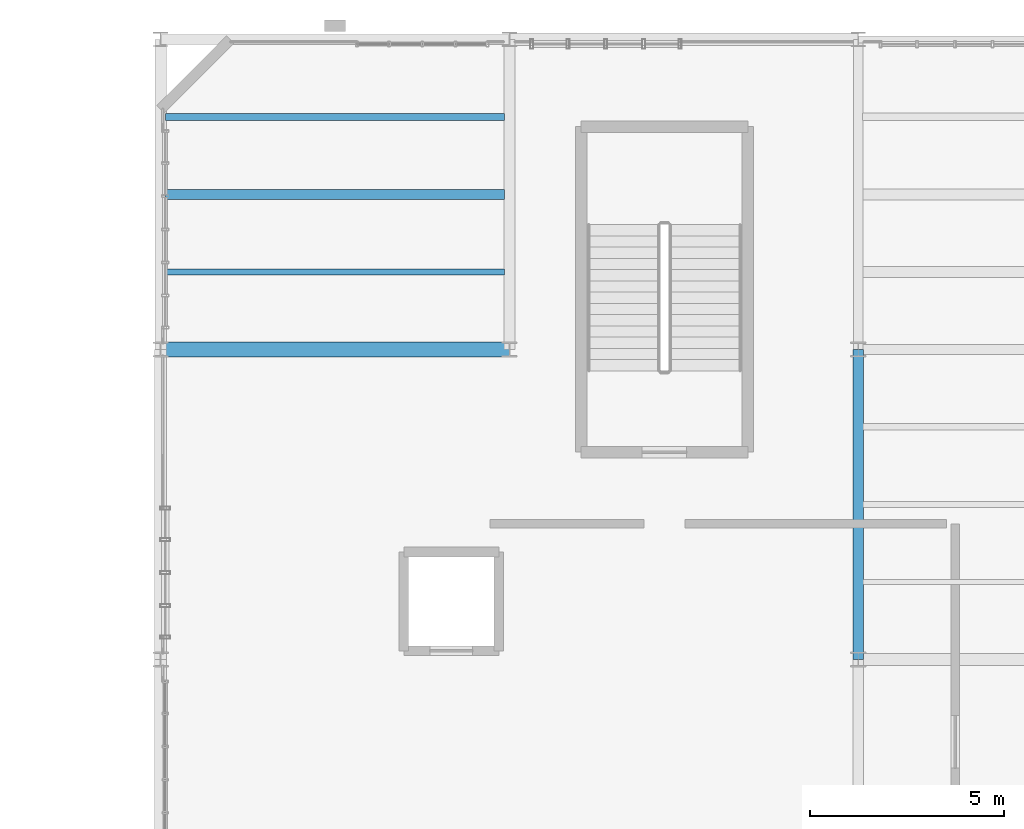
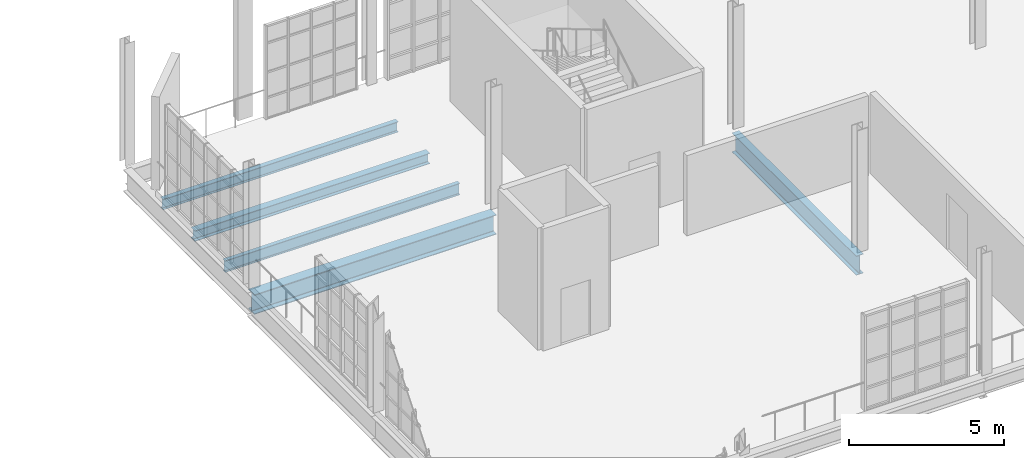
# One storey, part 61 of 118: 5 beams.
"""IFC4 building model written with IfcOpenShell, lengths in metres."""

from ifc_helpers import new_model, si_unit, direction, frame, origin, origin_2d, place, context, subcontext, project, spatial, i_section, extrude, material, material_profile, profile_set, type_object, element, save


model = new_model("IFC4")

# Units and contexts
model_context = context("Model", 3, precision=1e-05, world=origin(), true_north=direction((0.0, 1.0)))
body_context = subcontext(model_context, "Body", "Model", "MODEL_VIEW")
ifc_project = project(units=[si_unit("LENGTHUNIT", "METRE"), si_unit("AREAUNIT", "SQUARE_METRE"), si_unit("VOLUMEUNIT", "CUBIC_METRE"), si_unit("PLANEANGLEUNIT", "RADIAN"), si_unit("MASSUNIT", "GRAM", prefix="KILO"), si_unit("THERMODYNAMICTEMPERATUREUNIT", "KELVIN"), si_unit("POWERUNIT", "WATT")], contexts=[model_context])

# Site, building, storey
site_placement = place(None, origin())
site = spatial("IfcSite", under=ifc_project, at=site_placement, CompositionType="ELEMENT")
building_placement = place(site_placement, origin())
building = spatial("IfcBuilding", under=site, at=building_placement, Name="Zelmaris Science Centre", CompositionType="ELEMENT")
storey_placement = place(building_placement, frame((0.0, 0.0, 15.60009765625)))
storey = spatial("IfcBuildingStorey", under=building, at=storey_placement, Name="L03", CompositionType="ELEMENT", Elevation=15.60009765625)

# Beams
ifc_material = material(Name="Steel ASTM A992 Grade 50", Category="steel")
ifc_material_profile_1 = material_profile(ifc_material, i_section(OverallWidth=0.26708984375, OverallDepth=0.757080078125, WebThickness=0.013916015625, FlangeThickness=0.019287109375, FilletRadius=0.01904296875, at=origin_2d()), Name="W30X108")
ifc_profile_set_1 = profile_set([ifc_material_profile_1], Name="Steel ASTM A992 Grade 50")
beam_type_1 = type_object("IfcBeamType", Name="Beam G-10 W30X108", PredefinedType="BEAM", material=ifc_profile_set_1)
beam_1_placement = place(storey_placement, frame((72.0, 72.0, -0.638671875), z_axis=(0.0, 1.0, 0.0), x_axis=(-1.0, 0.0, 0.0)))
element("IfcBeam", 1, at=beam_1_placement, inside=storey, type_object=beam_type_1, Name="L03 North-south girder 687", PredefinedType="BEAM", context=body_context, shape_type="SweptSolid", body=[
    extrude(i_section(OverallWidth=0.26708984375, OverallDepth=0.757080078125, WebThickness=0.013916015625, FlangeThickness=0.019287109375, FilletRadius=0.01904296875, at=origin_2d()), origin(), (0.0, 0.0, 1.0), 8.0),
])
ifc_material_profile_2 = material_profile(ifc_material, i_section(OverallWidth=0.381103515625, OverallDepth=0.777099609375, WebThickness=0.01806640625, FlangeThickness=0.030029296875, FilletRadius=0.01904296875, at=origin_2d()), Name="W30X191")
ifc_profile_set_2 = profile_set([ifc_material_profile_2], Name="Steel ASTM A992 Grade 50")
beam_type_2 = type_object("IfcBeamType", Name="Beam G-31 W30X191", PredefinedType="BEAM", material=ifc_profile_set_2)
beam_2_placement = place(storey_placement, frame((54.0, 80.0, -0.648681640625), z_axis=(1.0, 0.0, 0.0), x_axis=(0.0, 1.0, 0.0)))
element("IfcBeam", 2, at=beam_2_placement, inside=storey, type_object=beam_type_2, Name="L03 East-west girder 764", PredefinedType="BEAM", context=body_context, shape_type="SweptSolid", body=[
    extrude(i_section(OverallWidth=0.381103515625, OverallDepth=0.777099609375, WebThickness=0.01806640625, FlangeThickness=0.030029296875, FilletRadius=0.01904296875, at=origin_2d()), origin(), (0.0, 0.0, 1.0), 9.0),
])
ifc_material_profile_3 = material_profile(ifc_material, i_section(OverallWidth=0.152099609375, OverallDepth=0.455078125, WebThickness=0.008056640625, FlangeThickness=0.01318359375, FilletRadius=0.012939453125, at=origin_2d()), Name="W18X40")
ifc_profile_set_3 = profile_set([ifc_material_profile_3], Name="Steel ASTM A992 Grade 50")
beam_type_3 = type_object("IfcBeamType", Name="Beam J-05 W18X40", PredefinedType="JOIST", material=ifc_profile_set_3)
beam_3_placement = place(storey_placement, frame((54.132568359375, 82.0, -0.487548828125), z_axis=(1.0, 0.0, 0.0), x_axis=(0.0, 1.0, 0.0)))
element("IfcBeam", 3, at=beam_3_placement, inside=storey, type_object=beam_type_3, Name="L03 Composite floor joist 319", PredefinedType="JOIST", context=body_context, shape_type="SweptSolid", body=[
    extrude(i_section(OverallWidth=0.152099609375, OverallDepth=0.455078125, WebThickness=0.008056640625, FlangeThickness=0.01318359375, FilletRadius=0.012939453125, at=origin_2d()), origin(), (0.0, 0.0, 1.0), 8.736328125),
])
ifc_material_profile_4 = material_profile(ifc_material, i_section(OverallWidth=0.260009765625, OverallDepth=0.4140625, WebThickness=0.010009765625, FlangeThickness=0.016845703125, FilletRadius=0.011962890625, at=origin_2d()), Name="W16X67")
ifc_profile_set_4 = profile_set([ifc_material_profile_4], Name="Steel ASTM A992 Grade 50")
beam_type_4 = type_object("IfcBeamType", Name="Beam J-06 W16X67", PredefinedType="JOIST", material=ifc_profile_set_4)
beam_4_placement = place(storey_placement, frame((54.132568359375, 84.0, -0.467041015625), z_axis=(1.0, 0.0, 0.0), x_axis=(0.0, 1.0, 0.0)))
element("IfcBeam", 4, at=beam_4_placement, inside=storey, type_object=beam_type_4, Name="L03 Composite floor joist 320", PredefinedType="JOIST", context=body_context, shape_type="SweptSolid", body=[
    extrude(i_section(OverallWidth=0.260009765625, OverallDepth=0.4140625, WebThickness=0.010009765625, FlangeThickness=0.016845703125, FilletRadius=0.011962890625, at=origin_2d()), origin(), (0.0, 0.0, 1.0), 8.736328125),
])
ifc_material_profile_5 = material_profile(ifc_material, i_section(OverallWidth=0.177978515625, OverallDepth=0.408935546875, WebThickness=0.0087890625, FlangeThickness=0.014404296875, FilletRadius=0.011962890625, at=origin_2d()), Name="W16X45")
ifc_profile_set_5 = profile_set([ifc_material_profile_5], Name="Steel ASTM A992 Grade 50")
beam_type_5 = type_object("IfcBeamType", Name="Beam J-07 W16X45", PredefinedType="JOIST", material=ifc_profile_set_5)
beam_5_placement = place(storey_placement, frame((54.132568359375, 86.0, -0.464599609375), z_axis=(1.0, 0.0, 0.0), x_axis=(0.0, 1.0, 0.0)))
element("IfcBeam", 5, at=beam_5_placement, inside=storey, type_object=beam_type_5, Name="L03 Composite floor joist 321", PredefinedType="JOIST", context=body_context, shape_type="SweptSolid", body=[
    extrude(i_section(OverallWidth=0.177978515625, OverallDepth=0.408935546875, WebThickness=0.0087890625, FlangeThickness=0.014404296875, FilletRadius=0.011962890625, at=origin_2d()), origin(), (0.0, 0.0, 1.0), 8.736328125),
])

save(model, "model.ifc")
